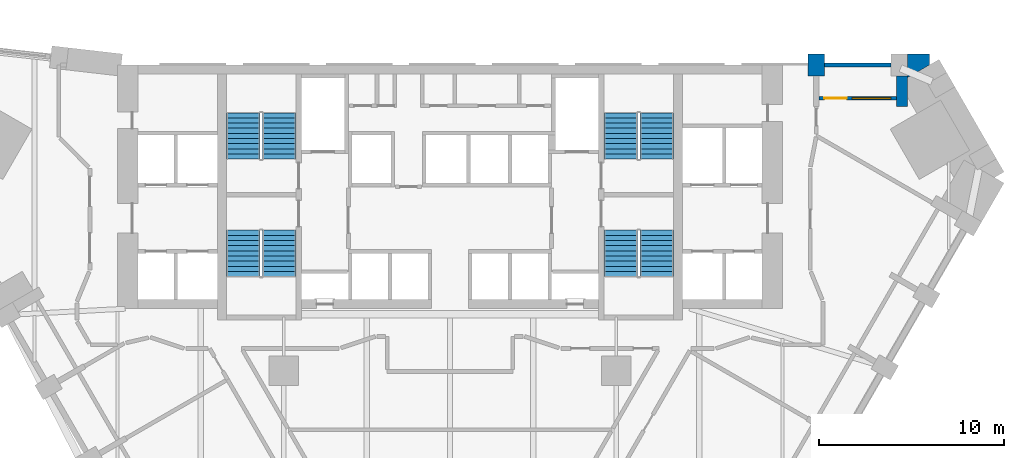
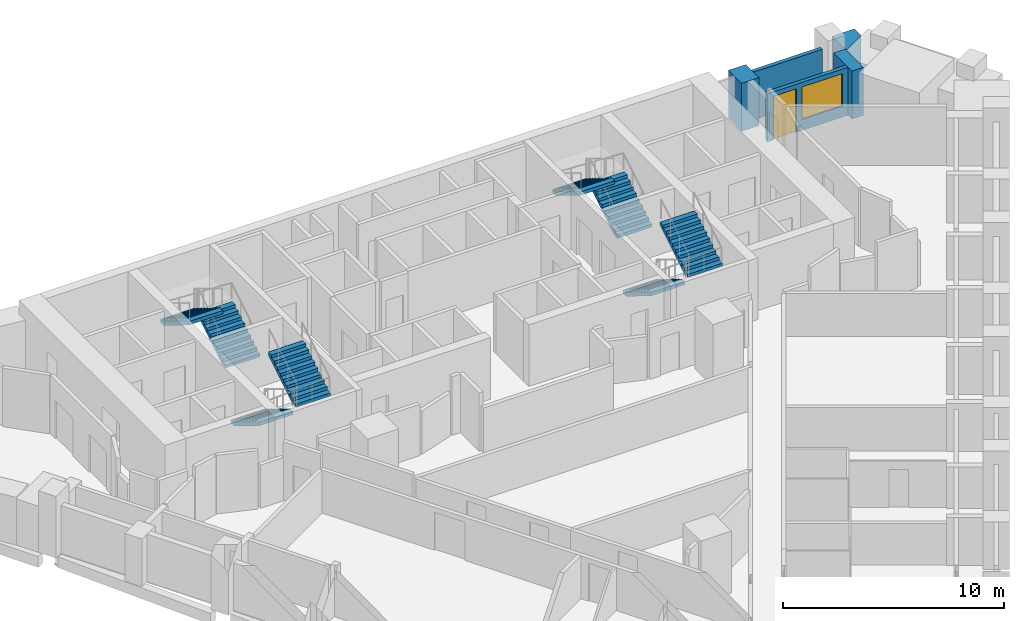
# One storey, part 9 of 10: 8 stair flights, 5 walls, 1 door, 1 window, 2 openings, 4 elements without a shape of their own.
"""IFC4 building model written with IfcOpenShell, lengths in metres."""

from ifc_helpers import new_model, si_unit, direction, frame, frame_2d, origin, place, context, subcontext, project, spatial, polyline, rectangle, outline, extrude, faceted_brep, source, transform, mapped, material, layer, layer_set, type_object, element, fill, aggregate, save


model = new_model("IFC4")

# Units and contexts
model_context = context("Model", 3, precision=1e-05, world=origin(), true_north=direction((0.0, 1.0)))
body_context = subcontext(model_context, "Body", "Model", "MODEL_VIEW")
ifc_project = project(units=[si_unit("LENGTHUNIT", "METRE"), si_unit("AREAUNIT", "SQUARE_METRE"), si_unit("VOLUMEUNIT", "CUBIC_METRE"), si_unit("PLANEANGLEUNIT", "RADIAN"), si_unit("MASSUNIT", "GRAM", prefix="KILO")], contexts=[model_context])

# Site, building, storey
site_placement = place(None, origin())
site = spatial("IfcSite", under=ifc_project, at=site_placement, CompositionType="ELEMENT")
building_placement = place(site_placement, origin())
building = spatial("IfcBuilding", under=site, at=building_placement, Name="Calabash Gate Tower", CompositionType="ELEMENT")
storey_placement = place(building_placement, frame((0.0, 0.0, 69.800048828125)))
storey = spatial("IfcBuildingStorey", under=building, at=storey_placement, Name="L13", CompositionType="ELEMENT", Elevation=69.800048828125)

# Walls
ifc_material_1 = material(Name="Terracotta brick masonry, exposed face", Category="masonry")
ifc_layer_1 = layer(ifc_material_1, 2.5)
ifc_layer_set_1 = layer_set([ifc_layer_1], Name="Brick corner mass wall 2500")
wall_type_1 = type_object("IfcWallType", Name="Brick corner mass wall 2500", PredefinedType="SOLIDWALL", material=ifc_layer_set_1)
wall_1_placement = place(storey_placement, origin())
element("IfcWall", 1, at=wall_1_placement, inside=storey, type_object=wall_type_1, Name="Brick corner pier S03 3c", PredefinedType="SOLIDWALL", context=body_context, shape_type="SweptSolid", body=[
    extrude(outline(polyline([(24.77783203125, 18.452880859375), (24.77783203125, 18.36865234375), (25.96240234375, 19.052490234375), (25.96240234375, 19.652587890625), (24.778076171875, 19.652587890625), (24.778076171875, 18.452880859375), (24.77783203125, 18.452880859375)])), origin(), (0.0, 0.0, 1.0), 2.6298828125),
])
ifc_material_2 = material(Name="Terracotta brick masonry, exposed face", Category="masonry")
ifc_layer_2 = layer(ifc_material_2, 1.199951171875)
ifc_layer_set_2 = layer_set([ifc_layer_2], Name="Brick end wall 1200")
wall_type_2 = type_object("IfcWallType", Name="Brick end wall 1200", PredefinedType="SOLIDWALL", material=ifc_layer_set_2)
wall_2_placement = place(storey_placement, origin())
element("IfcWall", 2, at=wall_2_placement, inside=storey, type_object=wall_type_2, Name="Brick pier S03 N4.1", PredefinedType="SOLIDWALL", context=body_context, shape_type="SweptSolid", body=[
    extrude(outline(polyline([(20.27783203125, 19.652587890625), (19.3779296875, 19.652587890625), (19.3779296875, 18.45263671875), (20.27783203125, 18.45263671875), (20.27783203125, 19.652587890625)])), origin(), (0.0, 0.0, 1.0), 2.64990234375),
])
ifc_material_3 = material(Name="Terracotta brick masonry, exposed face", Category="masonry")
ifc_layer_3 = layer(ifc_material_3, 0.300048828125)
ifc_layer_set_3 = layer_set([ifc_layer_3], Name="Brick loggia cheek wall 300")
wall_type_3 = type_object("IfcWallType", Name="Brick loggia cheek wall 300", PredefinedType="SOLIDWALL", material=ifc_layer_set_3)
wall_3_placement = place(storey_placement, origin())
element("IfcWall", 3, at=wall_3_placement, inside=storey, type_object=wall_type_3, Name="Loggia cheek S03 N4.0", PredefinedType="SOLIDWALL", context=body_context, shape_type="SweptSolid", body=[
    extrude(outline(polyline([(24.77783203125, 16.802490234375), (24.77783203125, 18.45263671875), (24.177978515625, 18.45263671875), (24.177978515625, 16.802490234375), (24.77783203125, 16.802490234375)])), origin(), (0.0, 0.0, 1.0), 2.64990234375),
])
ifc_material_4 = material(Name="Terracotta brick masonry, perforated", Category="masonry")
ifc_layer_4 = layer(ifc_material_4, 0.199951171875)
ifc_layer_set_4 = layer_set([ifc_layer_4], Name="Terracotta jaali screen A")
wall_type_4 = type_object("IfcWallType", Name="Terracotta jaali screen A", PredefinedType="SOLIDWALL", material=ifc_layer_set_4)
wall_4_placement = place(storey_placement, frame((23.8779296875, 19.052490234375, 0.0), z_axis=(0.0, 0.0, 1.0), x_axis=(-1.0, 0.0, 0.0)))
element("IfcWall", 4, at=wall_4_placement, inside=storey, type_object=wall_type_4, Name="SCREEN A S03 N4.1", PredefinedType="SOLIDWALL", context=body_context, shape_type="SweptSolid", body=[
    extrude(rectangle(XDim=3.60009765625, YDim=0.199951171875, at=frame_2d((1.800048828125, 0.0))), origin(), (0.0, 0.0, 1.0), 2.64990234375),
])

# Wall, openings, door, window
ifc_material_5 = material(Name="Aluminium framed window wall with insulated spandrel", Category="aluminium")
ifc_layer_5 = layer(ifc_material_5, 0.199951171875)
ifc_layer_set_5 = layer_set([ifc_layer_5], Name="Window wall 200")
wall_type_5 = type_object("IfcWallType", Name="Window wall 200", PredefinedType="ELEMENTEDWALL", material=ifc_layer_set_5)
wall_5_placement = place(storey_placement, frame((24.177978515625, 17.25244140625, 0.0), z_axis=(0.0, 0.0, 1.0), x_axis=(-1.0, 0.0, 0.0)))
wall_5 = element("IfcWall", 5, at=wall_5_placement, inside=storey, type_object=wall_type_5, Name="Window wall S03 N4.1", PredefinedType="ELEMENTEDWALL", context=body_context, shape_type="SweptSolid", body=[
    extrude(rectangle(XDim=4.2001953125, YDim=0.199951171875, at=frame_2d((2.10009765625, 0.0))), origin(), (0.0, 0.0, 1.0), 2.64990234375),
])
opening_1_placement = place(wall_5_placement, frame((0.300048828125, 0.0, 0.60009765625)))
opening_1 = element("IfcOpeningElement", 6, at=opening_1_placement, cuts=wall_5, Name="Opening HW1", PredefinedType="OPENING", context=body_context, shape_type="SweptSolid", body=[
    extrude(rectangle(XDim=2.10009765625, YDim=1.800048828125, at=frame_2d((1.050048828125, 0.89990234375))), frame((0.0, 0.10986328125, 0.0), z_axis=(0.0, -1.0, 0.0), x_axis=(1.0, 0.0, 0.0)), (0.0, 0.0, 1.0), 0.219970703125),
])
opening_2_placement = place(wall_5_placement, frame((2.699951171875, 0.0, 0.0)))
opening_2 = element("IfcOpeningElement", 7, at=opening_2_placement, cuts=wall_5, Name="Opening H3-019", PredefinedType="OPENING", context=body_context, shape_type="SweptSolid", body=[
    extrude(rectangle(XDim=1.199951171875, YDim=2.39990234375, at=frame_2d((0.60009765625, 1.199951171875))), frame((0.0, 0.10986328125, 0.0), z_axis=(0.0, -1.0, 0.0), x_axis=(1.0, 0.0, 0.0)), (0.0, 0.0, 1.0), 0.219970703125),
])
ifc_material_6 = material(Name="Anodised aluminium frame, bronze finish, impact-rated laminated clear glazing", Category="aluminium")
door_type = type_object("IfcDoorType", Name="Loggia door DH1 1200x2400", OperationType="SLIDING_TO_LEFT", PredefinedType="DOOR", material=ifc_material_6)
door_placement = place(opening_2_placement, origin())
door = element("IfcDoor", 8, at=door_placement, inside=storey, type_object=door_type, Name="Loggia door S03 N4.1", OperationType="SINGLE_SWING_LEFT", OverallHeight=2.39990234375, OverallWidth=1.199951171875, PredefinedType="DOOR", context=body_context, shape_type="SweptSolid", body=[
    extrude(rectangle(XDim=1.199951171875, YDim=2.39990234375, at=frame_2d((0.60009765625, 1.199951171875))), frame((0.0, 0.02490234375, 0.0), z_axis=(0.0, -1.0, 0.0), x_axis=(1.0, 0.0, 0.0)), (0.0, 0.0, 1.0), 0.050048828125),
])
fill(opening_2, door)
ifc_material_7 = material(Name="Anodised aluminium frame, bronze finish, impact-rated laminated clear glazing", Category="aluminium")
window_type = type_object("IfcWindowType", Name="Window HW1 2100x1800", PartitioningType="DOUBLE_PANEL_VERTICAL", PredefinedType="WINDOW", material=ifc_material_7)
window_placement = place(opening_1_placement, origin())
window = element("IfcWindow", 9, at=window_placement, inside=storey, type_object=window_type, Name="Window HW1 S03 N4.1", OverallHeight=1.800048828125, OverallWidth=2.10009765625, PartitioningType="SINGLE_PANEL", PredefinedType="WINDOW", context=body_context, shape_type="SweptSolid", body=[
    extrude(rectangle(XDim=2.10009765625, YDim=1.800048828125, at=frame_2d((1.050048828125, 0.89990234375))), frame((0.0, 0.030029296875, 0.0), z_axis=(0.0, -1.0, 0.0), x_axis=(1.0, 0.0, 0.0)), (0.0, 0.0, 1.0), 0.06005859375),
])
fill(opening_1, window)

# Stair, stair flights
ifc_material_8 = material(Name="Concrete C40/50", Category="concrete")
stair_type = type_object("IfcStairType", Name="Exit stair 20 risers of 170 mm", PredefinedType="HALF_TURN_STAIR", material=ifc_material_8)
stair_1_placement = place(storey_placement, origin())
stair_1 = element("IfcStair", 10, at=stair_1_placement, inside=storey, type_object=stair_type, Name="L13 Exit stair ST1", PredefinedType="HALF_TURN_STAIR")
ifc_material_9 = material(Name="Concrete C40/50", Category="concrete")
stair_flight_type = type_object("IfcStairFlightType", Name="Exit stair flight SFL", PredefinedType="STRAIGHT", material=ifc_material_9)
shared_shape = source(origin(), body_context, "Body", "Brep", [
    faceted_brep([(-0.0009765625, -0.89990234375, 0.0), (0.2880859375, -0.89990234375, 0.0), (2.511962890625, -0.89990234375, 1.3544921875), (-0.0009765625, 0.89990234375, 0.0), (2.511962890625, 0.89990234375, 1.3544921875), (0.2880859375, 0.89990234375, 0.0), (2.511962890625, -0.89990234375, 1.5419921875), (2.510986328125, -0.89990234375, 1.5419921875), (2.510986328125, 0.89990234375, 1.5419921875), (2.511962890625, 0.89990234375, 1.5419921875), (2.510986328125, -0.89990234375, 1.530029296875), (2.510986328125, 0.89990234375, 1.530029296875), (2.23193359375, -0.89990234375, 1.530029296875), (2.23193359375, 0.89990234375, 1.530029296875), (2.23193359375, -0.89990234375, 1.360107421875), (2.23193359375, 0.89990234375, 1.360107421875), (1.952880859375, -0.89990234375, 1.360107421875), (1.952880859375, 0.89990234375, 1.360107421875), (1.952880859375, -0.89990234375, 1.18994140625), (1.952880859375, 0.89990234375, 1.18994140625), (1.674072265625, -0.89990234375, 1.18994140625), (1.674072265625, -0.89990234375, 1.02001953125), (1.674072265625, 0.89990234375, 1.02001953125), (1.674072265625, 0.89990234375, 1.18994140625), (1.39501953125, -0.89990234375, 1.02001953125), (1.39501953125, -0.89990234375, 0.85009765625), (1.39501953125, 0.89990234375, 0.85009765625), (1.39501953125, 0.89990234375, 1.02001953125), (1.115966796875, -0.89990234375, 0.85009765625), (1.115966796875, -0.89990234375, 0.679931640625), (1.115966796875, 0.89990234375, 0.679931640625), (1.115966796875, 0.89990234375, 0.85009765625), (0.8369140625, -0.89990234375, 0.679931640625), (0.8369140625, -0.89990234375, 0.510009765625), (0.8369140625, 0.89990234375, 0.510009765625), (0.8369140625, 0.89990234375, 0.679931640625), (0.55810546875, -0.89990234375, 0.510009765625), (0.55810546875, -0.89990234375, 0.340087890625), (0.55810546875, 0.89990234375, 0.340087890625), (0.55810546875, 0.89990234375, 0.510009765625), (0.279052734375, -0.89990234375, 0.340087890625), (0.279052734375, -0.89990234375, 0.169921875), (0.279052734375, 0.89990234375, 0.169921875), (0.279052734375, 0.89990234375, 0.340087890625), (-0.0009765625, -0.89990234375, 0.169921875), (-0.0009765625, 0.89990234375, 0.169921875), (0.2880859375, -0.360107421875, 0.0), (2.511962890625, -0.360107421875, 1.3544921875), (0.2880859375, -0.179931640625, 0.0), (2.511962890625, -0.179931640625, 1.3544921875), (0.2880859375, 0.0, 0.0), (2.511962890625, 0.0, 1.3544921875), (0.2880859375, 0.179931640625, 0.0), (2.511962890625, 0.179931640625, 1.3544921875), (0.2880859375, 0.360107421875, 0.0), (2.511962890625, 0.360107421875, 1.3544921875), (2.511962890625, -0.360107421875, 1.5419921875), (2.511962890625, -0.179931640625, 1.5419921875), (2.511962890625, 0.0, 1.5419921875), (2.511962890625, 0.179931640625, 1.5419921875), (2.511962890625, 0.360107421875, 1.5419921875), (2.510986328125, -0.360107421875, 1.5419921875), (2.510986328125, -0.179931640625, 1.5419921875), (2.510986328125, 0.0, 1.5419921875), (2.510986328125, 0.179931640625, 1.5419921875), (2.510986328125, 0.360107421875, 1.5419921875), (2.510986328125, -0.360107421875, 1.530029296875), (2.510986328125, -0.179931640625, 1.530029296875), (2.510986328125, 0.0, 1.530029296875), (2.510986328125, 0.179931640625, 1.530029296875), (2.510986328125, 0.360107421875, 1.530029296875), (2.23193359375, -0.360107421875, 1.530029296875), (2.23193359375, -0.179931640625, 1.530029296875), (2.23193359375, 0.0, 1.530029296875), (2.23193359375, 0.179931640625, 1.530029296875), (2.23193359375, 0.360107421875, 1.530029296875), (2.23193359375, -0.360107421875, 1.360107421875), (2.23193359375, -0.179931640625, 1.360107421875), (2.23193359375, 0.0, 1.360107421875), (2.23193359375, 0.179931640625, 1.360107421875), (2.23193359375, 0.360107421875, 1.360107421875), (1.952880859375, -0.360107421875, 1.360107421875), (1.952880859375, -0.179931640625, 1.360107421875), (1.952880859375, 0.0, 1.360107421875), (1.952880859375, 0.179931640625, 1.360107421875), (1.952880859375, 0.360107421875, 1.360107421875), (1.952880859375, -0.360107421875, 1.18994140625), (1.952880859375, -0.179931640625, 1.18994140625), (1.952880859375, 0.0, 1.18994140625), (1.952880859375, 0.179931640625, 1.18994140625), (1.952880859375, 0.360107421875, 1.18994140625), (1.674072265625, -0.360107421875, 1.18994140625), (1.674072265625, -0.179931640625, 1.18994140625), (1.674072265625, 0.0, 1.18994140625), (1.674072265625, 0.179931640625, 1.18994140625), (1.674072265625, 0.360107421875, 1.18994140625), (1.674072265625, -0.360107421875, 1.02001953125), (1.674072265625, -0.179931640625, 1.02001953125), (1.674072265625, 0.0, 1.02001953125), (1.674072265625, 0.179931640625, 1.02001953125), (1.674072265625, 0.360107421875, 1.02001953125), (1.39501953125, -0.360107421875, 1.02001953125), (1.39501953125, -0.179931640625, 1.02001953125), (1.39501953125, 0.0, 1.02001953125), (1.39501953125, 0.179931640625, 1.02001953125), (1.39501953125, 0.360107421875, 1.02001953125), (1.39501953125, -0.360107421875, 0.85009765625), (1.39501953125, -0.179931640625, 0.85009765625), (1.39501953125, 0.0, 0.85009765625), (1.39501953125, 0.179931640625, 0.85009765625), (1.39501953125, 0.360107421875, 0.85009765625), (1.115966796875, -0.360107421875, 0.85009765625), (1.115966796875, -0.179931640625, 0.85009765625), (1.115966796875, 0.0, 0.85009765625), (1.115966796875, 0.179931640625, 0.85009765625), (1.115966796875, 0.360107421875, 0.85009765625), (1.115966796875, -0.360107421875, 0.679931640625), (1.115966796875, -0.179931640625, 0.679931640625), (1.115966796875, 0.0, 0.679931640625), (1.115966796875, 0.179931640625, 0.679931640625), (1.115966796875, 0.360107421875, 0.679931640625), (0.8369140625, -0.360107421875, 0.679931640625), (0.8369140625, -0.179931640625, 0.679931640625), (0.8369140625, 0.0, 0.679931640625), (0.8369140625, 0.179931640625, 0.679931640625), (0.8369140625, 0.360107421875, 0.679931640625), (0.8369140625, -0.360107421875, 0.510009765625), (0.8369140625, -0.179931640625, 0.510009765625), (0.8369140625, 0.0, 0.510009765625), (0.8369140625, 0.179931640625, 0.510009765625), (0.8369140625, 0.360107421875, 0.510009765625), (0.55810546875, -0.360107421875, 0.510009765625), (0.55810546875, -0.179931640625, 0.510009765625), (0.55810546875, 0.0, 0.510009765625), (0.55810546875, 0.179931640625, 0.510009765625), (0.55810546875, 0.360107421875, 0.510009765625), (0.55810546875, -0.360107421875, 0.340087890625), (0.55810546875, -0.179931640625, 0.340087890625), (0.55810546875, 0.0, 0.340087890625), (0.55810546875, 0.179931640625, 0.340087890625), (0.55810546875, 0.360107421875, 0.340087890625), (0.279052734375, -0.360107421875, 0.340087890625), (0.279052734375, -0.179931640625, 0.340087890625), (0.279052734375, 0.0, 0.340087890625), (0.279052734375, 0.179931640625, 0.340087890625), (0.279052734375, 0.360107421875, 0.340087890625), (0.279052734375, -0.360107421875, 0.169921875), (0.279052734375, -0.179931640625, 0.169921875), (0.279052734375, 0.0, 0.169921875), (0.279052734375, 0.179931640625, 0.169921875), (0.279052734375, 0.360107421875, 0.169921875), (-0.0009765625, -0.360107421875, 0.169921875), (-0.0009765625, -0.179931640625, 0.169921875), (-0.0009765625, 0.0, 0.169921875), (-0.0009765625, 0.179931640625, 0.169921875), (-0.0009765625, 0.360107421875, 0.169921875), (-0.0009765625, -0.360107421875, 0.0), (-0.0009765625, -0.179931640625, 0.0), (-0.0009765625, 0.0, 0.0), (-0.0009765625, 0.179931640625, 0.0), (-0.0009765625, 0.360107421875, 0.0)], [[[0, 1, 2]], [[3, 4, 5]], [[2, 6, 7]], [[4, 8, 9]], [[2, 7, 10]], [[4, 11, 8]], [[2, 10, 12]], [[4, 13, 11]], [[2, 12, 14]], [[4, 15, 13]], [[2, 14, 16]], [[4, 17, 15]], [[2, 16, 18]], [[4, 19, 17]], [[18, 20, 21]], [[19, 22, 23]], [[2, 18, 21]], [[4, 22, 19]], [[21, 24, 25]], [[22, 26, 27]], [[2, 21, 25]], [[4, 26, 22]], [[25, 28, 29]], [[26, 30, 31]], [[2, 25, 29]], [[4, 30, 26]], [[29, 32, 33]], [[30, 34, 35]], [[2, 29, 33]], [[4, 34, 30]], [[33, 36, 37]], [[34, 38, 39]], [[2, 33, 37]], [[4, 38, 34]], [[37, 40, 41]], [[38, 42, 43]], [[2, 37, 41]], [[4, 42, 38]], [[0, 2, 41]], [[3, 42, 4]], [[41, 44, 0]], [[42, 3, 45]], [[1, 46, 2]], [[46, 47, 2]], [[46, 48, 47]], [[48, 49, 47]], [[48, 50, 49]], [[50, 51, 49]], [[50, 52, 53]], [[50, 53, 51]], [[52, 54, 55]], [[52, 55, 53]], [[54, 5, 4]], [[54, 4, 55]], [[2, 47, 6]], [[47, 56, 6]], [[47, 49, 56]], [[49, 57, 56]], [[49, 51, 57]], [[51, 58, 57]], [[51, 53, 59]], [[51, 59, 58]], [[53, 55, 60]], [[53, 60, 59]], [[55, 4, 9]], [[55, 9, 60]], [[6, 56, 7]], [[56, 61, 7]], [[56, 57, 61]], [[57, 62, 61]], [[57, 58, 62]], [[58, 63, 62]], [[58, 59, 64]], [[58, 64, 63]], [[59, 60, 65]], [[59, 65, 64]], [[60, 9, 8]], [[60, 8, 65]], [[7, 61, 10]], [[61, 66, 10]], [[61, 62, 66]], [[62, 67, 66]], [[62, 63, 67]], [[63, 68, 67]], [[63, 64, 69]], [[63, 69, 68]], [[64, 65, 70]], [[64, 70, 69]], [[65, 8, 11]], [[65, 11, 70]], [[10, 66, 12]], [[66, 71, 12]], [[66, 67, 71]], [[67, 72, 71]], [[67, 68, 72]], [[68, 73, 72]], [[68, 69, 74]], [[68, 74, 73]], [[69, 70, 75]], [[69, 75, 74]], [[70, 11, 13]], [[70, 13, 75]], [[12, 71, 14]], [[71, 76, 14]], [[71, 72, 76]], [[72, 77, 76]], [[72, 73, 77]], [[73, 78, 77]], [[73, 74, 79]], [[73, 79, 78]], [[74, 75, 80]], [[74, 80, 79]], [[75, 13, 15]], [[75, 15, 80]], [[14, 76, 16]], [[76, 81, 16]], [[76, 77, 81]], [[77, 82, 81]], [[77, 78, 82]], [[78, 83, 82]], [[78, 79, 84]], [[78, 84, 83]], [[79, 80, 85]], [[79, 85, 84]], [[80, 15, 17]], [[80, 17, 85]], [[16, 81, 18]], [[81, 86, 18]], [[81, 82, 86]], [[82, 87, 86]], [[82, 83, 87]], [[83, 88, 87]], [[83, 84, 89]], [[83, 89, 88]], [[84, 85, 90]], [[84, 90, 89]], [[85, 17, 19]], [[85, 19, 90]], [[18, 86, 20]], [[86, 91, 20]], [[86, 87, 91]], [[87, 92, 91]], [[87, 88, 92]], [[88, 93, 92]], [[88, 89, 94]], [[88, 94, 93]], [[89, 90, 95]], [[89, 95, 94]], [[90, 19, 23]], [[90, 23, 95]], [[20, 91, 21]], [[91, 96, 21]], [[91, 92, 96]], [[92, 97, 96]], [[92, 93, 97]], [[93, 98, 97]], [[93, 94, 99]], [[93, 99, 98]], [[94, 95, 100]], [[94, 100, 99]], [[95, 23, 22]], [[95, 22, 100]], [[21, 96, 24]], [[96, 101, 24]], [[96, 97, 101]], [[97, 102, 101]], [[97, 98, 102]], [[98, 103, 102]], [[98, 99, 104]], [[98, 104, 103]], [[99, 100, 105]], [[99, 105, 104]], [[100, 22, 27]], [[100, 27, 105]], [[24, 101, 25]], [[101, 106, 25]], [[101, 102, 106]], [[102, 107, 106]], [[102, 103, 107]], [[103, 108, 107]], [[103, 104, 109]], [[103, 109, 108]], [[104, 105, 110]], [[104, 110, 109]], [[105, 27, 26]], [[105, 26, 110]], [[25, 106, 28]], [[106, 111, 28]], [[106, 107, 111]], [[107, 112, 111]], [[107, 108, 112]], [[108, 113, 112]], [[108, 109, 114]], [[108, 114, 113]], [[109, 110, 115]], [[109, 115, 114]], [[110, 26, 31]], [[110, 31, 115]], [[28, 111, 29]], [[111, 116, 29]], [[111, 112, 116]], [[112, 117, 116]], [[112, 113, 117]], [[113, 118, 117]], [[113, 114, 119]], [[113, 119, 118]], [[114, 115, 120]], [[114, 120, 119]], [[115, 31, 30]], [[115, 30, 120]], [[29, 116, 32]], [[116, 121, 32]], [[116, 117, 121]], [[117, 122, 121]], [[117, 118, 122]], [[118, 123, 122]], [[118, 119, 124]], [[118, 124, 123]], [[119, 120, 125]], [[119, 125, 124]], [[120, 30, 35]], [[120, 35, 125]], [[32, 121, 33]], [[121, 126, 33]], [[121, 122, 126]], [[122, 127, 126]], [[122, 123, 127]], [[123, 128, 127]], [[123, 124, 129]], [[123, 129, 128]], [[124, 125, 130]], [[124, 130, 129]], [[125, 35, 34]], [[125, 34, 130]], [[33, 126, 36]], [[126, 131, 36]], [[126, 127, 131]], [[127, 132, 131]], [[127, 128, 132]], [[128, 133, 132]], [[128, 129, 134]], [[128, 134, 133]], [[129, 130, 135]], [[129, 135, 134]], [[130, 34, 39]], [[130, 39, 135]], [[36, 131, 37]], [[131, 136, 37]], [[131, 132, 136]], [[132, 137, 136]], [[132, 133, 137]], [[133, 138, 137]], [[133, 134, 139]], [[133, 139, 138]], [[134, 135, 140]], [[134, 140, 139]], [[135, 39, 38]], [[135, 38, 140]], [[37, 136, 40]], [[136, 141, 40]], [[136, 137, 141]], [[137, 142, 141]], [[137, 138, 142]], [[138, 143, 142]], [[138, 139, 144]], [[138, 144, 143]], [[139, 140, 145]], [[139, 145, 144]], [[140, 38, 43]], [[140, 43, 145]], [[40, 141, 41]], [[141, 146, 41]], [[141, 142, 146]], [[142, 147, 146]], [[142, 143, 147]], [[143, 148, 147]], [[143, 144, 149]], [[143, 149, 148]], [[144, 145, 150]], [[144, 150, 149]], [[145, 43, 42]], [[145, 42, 150]], [[41, 146, 44]], [[146, 151, 44]], [[146, 147, 151]], [[147, 152, 151]], [[147, 148, 152]], [[148, 153, 152]], [[148, 149, 154]], [[148, 154, 153]], [[149, 150, 155]], [[149, 155, 154]], [[150, 42, 45]], [[150, 45, 155]], [[44, 151, 0]], [[151, 156, 0]], [[151, 152, 156]], [[152, 157, 156]], [[152, 153, 157]], [[153, 158, 157]], [[153, 154, 159]], [[153, 159, 158]], [[154, 155, 160]], [[154, 160, 159]], [[155, 45, 3]], [[155, 3, 160]], [[0, 156, 1]], [[156, 46, 1]], [[156, 157, 46]], [[157, 48, 46]], [[157, 158, 48]], [[158, 50, 48]], [[158, 159, 52]], [[158, 52, 50]], [[159, 160, 54]], [[159, 54, 52]], [[160, 3, 5]], [[160, 5, 54]]]),
])
stair_flight_1_placement = place(storey_placement, frame((-9.25, 13.95263671875, 0.0), z_axis=(0.0, 0.0, 1.0), x_axis=(0.0, 1.0, 0.0)))
stair_flight_1 = element("IfcStairFlight", 11, at=stair_flight_1_placement, type_object=stair_flight_type, Name="ST1 flight 1", NumberOfRisers=10, NumberOfTreads=9, PredefinedType="STRAIGHT", RiserHeight=0.17, TreadLength=0.279, context=body_context, shape_type="MappedRepresentation", body=[
    mapped(shared_shape, transform((0.0, 0.0, 0.0), scale=1.0)),
])
stair_flight_2_placement = place(storey_placement, frame((-11.199951171875, 16.463623046875, 1.699951171875), z_axis=(0.0, 0.0, 1.0), x_axis=(0.0, -1.0, 0.0)))
stair_flight_2 = element("IfcStairFlight", 12, at=stair_flight_2_placement, type_object=stair_flight_type, Name="ST1 flight 2", NumberOfRisers=10, NumberOfTreads=9, PredefinedType="STRAIGHT", RiserHeight=0.17, TreadLength=0.279, context=body_context, shape_type="MappedRepresentation", body=[
    mapped(shared_shape, transform((0.0, 0.0, 0.0), scale=1.0)),
])
aggregate(stair_1, [stair_flight_1, stair_flight_2])

stair_2_placement = place(storey_placement, origin())
stair_2 = element("IfcStair", 13, at=stair_2_placement, inside=storey, type_object=stair_type, Name="L13 Exit stair ST2", PredefinedType="HALF_TURN_STAIR")
stair_flight_3_placement = place(storey_placement, frame((-11.199951171875, 10.1025390625, 0.0), z_axis=(0.0, 0.0, 1.0), x_axis=(0.0, -1.0, 0.0)))
stair_flight_3 = element("IfcStairFlight", 14, at=stair_flight_3_placement, type_object=stair_flight_type, Name="ST2 flight 1", NumberOfRisers=10, NumberOfTreads=9, PredefinedType="STRAIGHT", RiserHeight=0.17, TreadLength=0.279, context=body_context, shape_type="MappedRepresentation", body=[
    mapped(shared_shape, transform((0.0, 0.0, 0.0), scale=1.0)),
])
stair_flight_4_placement = place(storey_placement, frame((-9.25, 7.591552734375, 1.699951171875), z_axis=(0.0, 0.0, 1.0), x_axis=(0.0, 1.0, 0.0)))
stair_flight_4 = element("IfcStairFlight", 15, at=stair_flight_4_placement, type_object=stair_flight_type, Name="ST2 flight 2", NumberOfRisers=10, NumberOfTreads=9, PredefinedType="STRAIGHT", RiserHeight=0.17, TreadLength=0.279, context=body_context, shape_type="MappedRepresentation", body=[
    mapped(shared_shape, transform((0.0, 0.0, 0.0), scale=1.0)),
])
aggregate(stair_2, [stair_flight_3, stair_flight_4])

stair_3_placement = place(storey_placement, origin())
stair_3 = element("IfcStair", 16, at=stair_3_placement, inside=storey, type_object=stair_type, Name="L13 Exit stair ST3", PredefinedType="HALF_TURN_STAIR")
stair_flight_5_placement = place(storey_placement, frame((11.199951171875, 13.95263671875, 0.0), z_axis=(0.0, 0.0, 1.0), x_axis=(0.0, 1.0, 0.0)))
stair_flight_5 = element("IfcStairFlight", 17, at=stair_flight_5_placement, type_object=stair_flight_type, Name="ST3 flight 1", NumberOfRisers=10, NumberOfTreads=9, PredefinedType="STRAIGHT", RiserHeight=0.17, TreadLength=0.279, context=body_context, shape_type="MappedRepresentation", body=[
    mapped(shared_shape, transform((0.0, 0.0, 0.0), scale=1.0)),
])
stair_flight_6_placement = place(storey_placement, frame((9.25, 16.463623046875, 1.699951171875), z_axis=(0.0, 0.0, 1.0), x_axis=(0.0, -1.0, 0.0)))
stair_flight_6 = element("IfcStairFlight", 18, at=stair_flight_6_placement, type_object=stair_flight_type, Name="ST3 flight 2", NumberOfRisers=10, NumberOfTreads=9, PredefinedType="STRAIGHT", RiserHeight=0.17, TreadLength=0.279, context=body_context, shape_type="MappedRepresentation", body=[
    mapped(shared_shape, transform((0.0, 0.0, 0.0), scale=1.0)),
])
aggregate(stair_3, [stair_flight_5, stair_flight_6])

stair_4_placement = place(storey_placement, origin())
stair_4 = element("IfcStair", 19, at=stair_4_placement, inside=storey, type_object=stair_type, Name="L13 Exit stair ST4", PredefinedType="HALF_TURN_STAIR")
stair_flight_7_placement = place(storey_placement, frame((9.25, 10.1025390625, 0.0), z_axis=(0.0, 0.0, 1.0), x_axis=(0.0, -1.0, 0.0)))
stair_flight_7 = element("IfcStairFlight", 20, at=stair_flight_7_placement, type_object=stair_flight_type, Name="ST4 flight 1", NumberOfRisers=10, NumberOfTreads=9, PredefinedType="STRAIGHT", RiserHeight=0.17, TreadLength=0.279, context=body_context, shape_type="MappedRepresentation", body=[
    mapped(shared_shape, transform((0.0, 0.0, 0.0), scale=1.0)),
])
stair_flight_8_placement = place(storey_placement, frame((11.199951171875, 7.591552734375, 1.699951171875), z_axis=(0.0, 0.0, 1.0), x_axis=(0.0, 1.0, 0.0)))
stair_flight_8 = element("IfcStairFlight", 21, at=stair_flight_8_placement, type_object=stair_flight_type, Name="ST4 flight 2", NumberOfRisers=10, NumberOfTreads=9, PredefinedType="STRAIGHT", RiserHeight=0.17, TreadLength=0.279, context=body_context, shape_type="MappedRepresentation", body=[
    mapped(shared_shape, transform((0.0, 0.0, 0.0), scale=1.0)),
])
aggregate(stair_4, [stair_flight_7, stair_flight_8])

save(model, "model.ifc")
